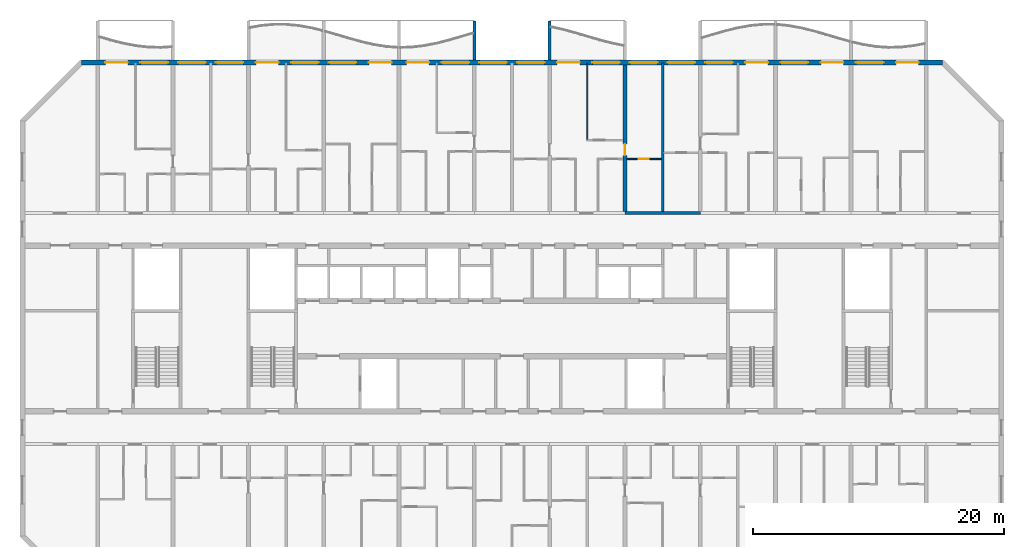
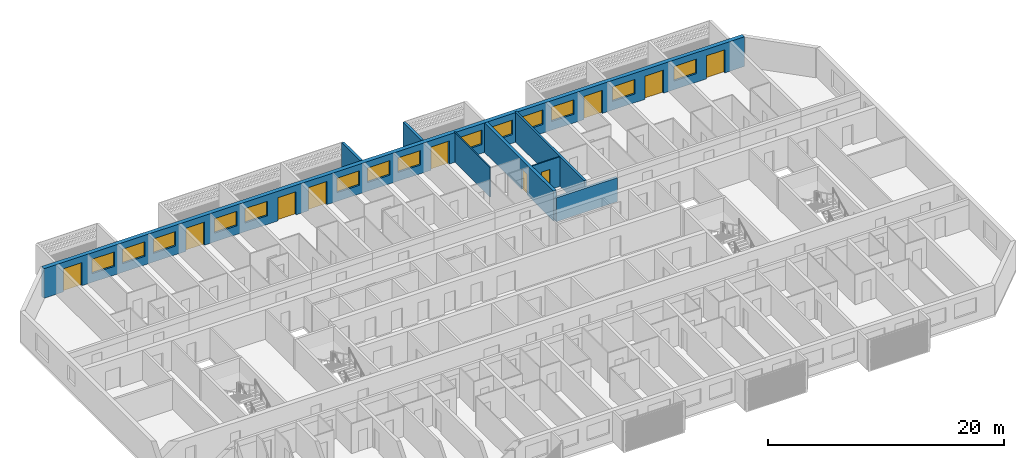
# One storey, part 11 of 33: 14 windows, 10 doors, 8 walls, 24 openings.
"""IFC4 building model written with IfcOpenShell, lengths in metres."""

from ifc_helpers import new_model, si_unit, direction, frame, frame_2d, origin, place, context, subcontext, project, spatial, polyline, rectangle, outline, extrude, source, transform, mapped, material, layer, layer_set, type_object, element, fill, save


model = new_model("IFC4")

# Units and contexts
model_context = context("Model", 3, precision=1e-05, world=origin(), true_north=direction((0.0, 1.0)))
body_context = subcontext(model_context, "Body", "Model", "MODEL_VIEW")
ifc_project = project(units=[si_unit("LENGTHUNIT", "METRE"), si_unit("AREAUNIT", "SQUARE_METRE"), si_unit("VOLUMEUNIT", "CUBIC_METRE"), si_unit("PLANEANGLEUNIT", "RADIAN"), si_unit("MASSUNIT", "GRAM", prefix="KILO")], contexts=[model_context])

# Site, building, storey
site_placement = place(None, origin())
site = spatial("IfcSite", under=ifc_project, at=site_placement, CompositionType="ELEMENT")
building_placement = place(site_placement, origin())
building = spatial("IfcBuilding", under=site, at=building_placement, Name="Poui Terraces", CompositionType="ELEMENT")
storey_placement = place(building_placement, frame((0.0, 0.0, 132.300048828125)))
storey = spatial("IfcBuildingStorey", under=building, at=storey_placement, Name="L36", CompositionType="ELEMENT", Elevation=132.300048828125)

# Wall
ifc_material_1 = material(Name="Concrete 65 MPa", Category="concrete")
ifc_layer_1 = layer(ifc_material_1, 0.25)
ifc_layer_set_1 = layer_set([ifc_layer_1], Name="Concrete 65 MPa")
wall_type_1 = type_object("IfcWallType", Name="CORRIDOR WALL 250 65MPa", PredefinedType="SHEAR", material=ifc_layer_set_1)
wall_1_placement = place(storey_placement, frame((60.0, 30.39990234375, 0.0), z_axis=(0.0, 0.0, 1.0), x_axis=(1.0, 0.0, 0.0)))
element("IfcWall", 1, at=wall_1_placement, inside=storey, type_object=wall_type_1, Name="CORRIDOR WALL LINE E BAY 9", PredefinedType="SHEAR", context=body_context, shape_type="SweptSolid", body=[
    extrude(rectangle(XDim=6.0, YDim=0.25, at=frame_2d((3.0, 0.0))), origin(), (0.0, 0.0, 1.0), 2.469970703125),
])

# Wall, opening, door
ifc_layer_2 = layer(ifc_material_1, 0.300048828125)
ifc_layer_set_2 = layer_set([ifc_layer_2], Name="Concrete 65 MPa")
wall_type_2 = type_object("IfcWallType", Name="CROSS WALL 300 65MPa", PredefinedType="SHEAR", material=ifc_layer_set_2)
wall_2_placement = place(storey_placement, frame((60.0, 30.52490234375, 0.0), z_axis=(0.0, 0.0, 1.0), x_axis=(0.0, 1.0, 0.0)))
wall_2 = element("IfcWall", 2, at=wall_2_placement, inside=storey, type_object=wall_type_2, Name="CROSS WALL LINE 11 NORTH", PredefinedType="SHEAR", context=body_context, shape_type="SweptSolid", body=[
    extrude(rectangle(XDim=11.675048828125, YDim=0.300048828125, at=frame_2d((5.83740234375, 0.0))), origin(), (0.0, 0.0, 1.0), 3.070068359375),
])
opening_1_placement = place(wall_2_placement, frame((4.47509765625, 0.0, 0.0)))
opening_1 = element("IfcOpeningElement", 3, at=opening_1_placement, cuts=wall_2, Name="Opening D90", PredefinedType="OPENING", context=body_context, shape_type="SweptSolid", body=[
    extrude(rectangle(XDim=0.89990234375, YDim=2.10009765625, at=frame_2d((0.449951171875, 1.050048828125))), frame((0.0, 0.16015625, 0.0), z_axis=(0.0, -1.0, 0.0), x_axis=(1.0, 0.0, 0.0)), (0.0, 0.0, 1.0), 0.320068359375),
])
ifc_material_2 = material(Name="Solid core timber door", Category="wood")
door_type_1 = type_object("IfcDoorType", Name="INTERNAL DOOR 900 X 2100", OperationType="NOTDEFINED", PredefinedType="DOOR", material=ifc_material_2)
door_1_placement = place(opening_1_placement, frame((0.89990234375, 0.0, 0.0), z_axis=(0.0, 0.0, 1.0), x_axis=(-1.0, 0.0, 0.0)))
door_1 = element("IfcDoor", 4, at=door_1_placement, inside=storey, type_object=door_type_1, Name="INTERNAL DOOR 060", OperationType="SINGLE_SWING_RIGHT", OverallHeight=2.10009765625, OverallWidth=0.89990234375, PredefinedType="DOOR", context=body_context, shape_type="SweptSolid", body=[
    extrude(rectangle(XDim=0.89990234375, YDim=2.10009765625, at=frame_2d((0.449951171875, 1.050048828125))), frame((0.0, 0.02490234375, 0.0), z_axis=(0.0, -1.0, 0.0), x_axis=(1.0, 0.0, 0.0)), (0.0, 0.0, 1.0), 0.050048828125),
])
fill(opening_1, door_1)

# Wall, openings, doors, windows
ifc_material_3 = material(Name="Precast concrete 40 MPa", Category="concrete")
ifc_layer_3 = layer(ifc_material_3, 0.39990234375)
ifc_layer_set_3 = layer_set([ifc_layer_3], Name="Precast concrete 40 MPa")
wall_type_3 = type_object("IfcWallType", Name="EXTERNAL WALL 400", PredefinedType="STANDARD", material=ifc_layer_set_3)
wall_3_placement = place(storey_placement, frame((85.317138671875, 42.39990234375, 0.0), z_axis=(0.0, 0.0, 1.0), x_axis=(-1.0, 0.0, 0.0)))
wall_3 = element("IfcWall", 5, at=wall_3_placement, inside=storey, type_object=wall_type_3, Name="EXTERNAL WALL N", PredefinedType="STANDARD", context=body_context, shape_type="SweptSolid", body=[
    extrude(rectangle(XDim=68.63427734375, YDim=0.39990234375, at=frame_2d((34.317138671875, 0.0))), origin(), (0.0, 0.0, 1.0), 3.070068359375),
])
opening_2_placement = place(wall_3_placement, frame((64.917236328125, 0.0, 0.0)))
opening_2 = element("IfcOpeningElement", 6, at=opening_2_placement, cuts=wall_3, Name="Opening BD1", PredefinedType="OPENING", context=body_context, shape_type="SweptSolid", body=[
    extrude(rectangle(XDim=1.800048828125, YDim=2.39990234375, at=frame_2d((0.89990234375, 1.199951171875))), frame((0.0, 0.2099609375, 0.0), z_axis=(0.0, -1.0, 0.0), x_axis=(1.0, 0.0, 0.0)), (0.0, 0.0, 1.0), 0.419921875),
])
opening_3_placement = place(wall_3_placement, frame((61.71728515625, 0.0, 0.89990234375)))
opening_3 = element("IfcOpeningElement", 7, at=opening_3_placement, cuts=wall_3, Name="Opening W1", PredefinedType="OPENING", context=body_context, shape_type="SweptSolid", body=[
    extrude(rectangle(XDim=2.199951171875, YDim=1.5, at=frame_2d((1.10009765625, 0.75))), frame((0.0, 0.2099609375, 0.0), z_axis=(0.0, -1.0, 0.0), x_axis=(1.0, 0.0, 0.0)), (0.0, 0.0, 1.0), 0.419921875),
])
opening_4_placement = place(wall_3_placement, frame((58.71728515625, 0.0, 0.89990234375)))
opening_4 = element("IfcOpeningElement", 8, at=opening_4_placement, cuts=wall_3, Name="Opening W1", PredefinedType="OPENING", context=body_context, shape_type="SweptSolid", body=[
    extrude(rectangle(XDim=2.199951171875, YDim=1.5, at=frame_2d((1.10009765625, 0.75))), frame((0.0, 0.2099609375, 0.0), z_axis=(0.0, -1.0, 0.0), x_axis=(1.0, 0.0, 0.0)), (0.0, 0.0, 1.0), 0.419921875),
])
opening_5_placement = place(wall_3_placement, frame((55.71728515625, 0.0, 0.89990234375)))
opening_5 = element("IfcOpeningElement", 9, at=opening_5_placement, cuts=wall_3, Name="Opening W1", PredefinedType="OPENING", context=body_context, shape_type="SweptSolid", body=[
    extrude(rectangle(XDim=2.199951171875, YDim=1.5, at=frame_2d((1.10009765625, 0.75))), frame((0.0, 0.2099609375, 0.0), z_axis=(0.0, -1.0, 0.0), x_axis=(1.0, 0.0, 0.0)), (0.0, 0.0, 1.0), 0.419921875),
])
opening_6_placement = place(wall_3_placement, frame((52.917236328125, 0.0, 0.0)))
opening_6 = element("IfcOpeningElement", 10, at=opening_6_placement, cuts=wall_3, Name="Opening BD1", PredefinedType="OPENING", context=body_context, shape_type="SweptSolid", body=[
    extrude(rectangle(XDim=1.800048828125, YDim=2.39990234375, at=frame_2d((0.89990234375, 1.199951171875))), frame((0.0, 0.2099609375, 0.0), z_axis=(0.0, -1.0, 0.0), x_axis=(1.0, 0.0, 0.0)), (0.0, 0.0, 1.0), 0.419921875),
])
opening_7_placement = place(wall_3_placement, frame((49.71728515625, 0.0, 0.89990234375)))
opening_7 = element("IfcOpeningElement", 11, at=opening_7_placement, cuts=wall_3, Name="Opening W1", PredefinedType="OPENING", context=body_context, shape_type="SweptSolid", body=[
    extrude(rectangle(XDim=2.199951171875, YDim=1.5, at=frame_2d((1.10009765625, 0.75))), frame((0.0, 0.2099609375, 0.0), z_axis=(0.0, -1.0, 0.0), x_axis=(1.0, 0.0, 0.0)), (0.0, 0.0, 1.0), 0.419921875),
])
opening_8_placement = place(wall_3_placement, frame((46.71728515625, 0.0, 0.89990234375)))
opening_8 = element("IfcOpeningElement", 12, at=opening_8_placement, cuts=wall_3, Name="Opening W1", PredefinedType="OPENING", context=body_context, shape_type="SweptSolid", body=[
    extrude(rectangle(XDim=2.199951171875, YDim=1.5, at=frame_2d((1.10009765625, 0.75))), frame((0.0, 0.2099609375, 0.0), z_axis=(0.0, -1.0, 0.0), x_axis=(1.0, 0.0, 0.0)), (0.0, 0.0, 1.0), 0.419921875),
])
opening_9_placement = place(wall_3_placement, frame((43.917236328125, 0.0, 0.0)))
opening_9 = element("IfcOpeningElement", 13, at=opening_9_placement, cuts=wall_3, Name="Opening BD1", PredefinedType="OPENING", context=body_context, shape_type="SweptSolid", body=[
    extrude(rectangle(XDim=1.800048828125, YDim=2.39990234375, at=frame_2d((0.89990234375, 1.199951171875))), frame((0.0, 0.2099609375, 0.0), z_axis=(0.0, -1.0, 0.0), x_axis=(1.0, 0.0, 0.0)), (0.0, 0.0, 1.0), 0.419921875),
])
opening_10_placement = place(wall_3_placement, frame((40.917236328125, 0.0, 0.0)))
opening_10 = element("IfcOpeningElement", 14, at=opening_10_placement, cuts=wall_3, Name="Opening BD1", PredefinedType="OPENING", context=body_context, shape_type="SweptSolid", body=[
    extrude(rectangle(XDim=1.800048828125, YDim=2.39990234375, at=frame_2d((0.89990234375, 1.199951171875))), frame((0.0, 0.2099609375, 0.0), z_axis=(0.0, -1.0, 0.0), x_axis=(1.0, 0.0, 0.0)), (0.0, 0.0, 1.0), 0.419921875),
])
opening_11_placement = place(wall_3_placement, frame((37.71728515625, 0.0, 0.89990234375)))
opening_11 = element("IfcOpeningElement", 15, at=opening_11_placement, cuts=wall_3, Name="Opening W1", PredefinedType="OPENING", context=body_context, shape_type="SweptSolid", body=[
    extrude(rectangle(XDim=2.199951171875, YDim=1.5, at=frame_2d((1.10009765625, 0.75))), frame((0.0, 0.2099609375, 0.0), z_axis=(0.0, -1.0, 0.0), x_axis=(1.0, 0.0, 0.0)), (0.0, 0.0, 1.0), 0.419921875),
])
opening_12_placement = place(wall_3_placement, frame((34.71728515625, 0.0, 0.89990234375)))
opening_12 = element("IfcOpeningElement", 16, at=opening_12_placement, cuts=wall_3, Name="Opening W1", PredefinedType="OPENING", context=body_context, shape_type="SweptSolid", body=[
    extrude(rectangle(XDim=2.199951171875, YDim=1.5, at=frame_2d((1.10009765625, 0.75))), frame((0.0, 0.2099609375, 0.0), z_axis=(0.0, -1.0, 0.0), x_axis=(1.0, 0.0, 0.0)), (0.0, 0.0, 1.0), 0.419921875),
])
opening_13_placement = place(wall_3_placement, frame((31.71728515625, 0.0, 0.89990234375)))
opening_13 = element("IfcOpeningElement", 17, at=opening_13_placement, cuts=wall_3, Name="Opening W1", PredefinedType="OPENING", context=body_context, shape_type="SweptSolid", body=[
    extrude(rectangle(XDim=2.199951171875, YDim=1.5, at=frame_2d((1.10009765625, 0.75))), frame((0.0, 0.2099609375, 0.0), z_axis=(0.0, -1.0, 0.0), x_axis=(1.0, 0.0, 0.0)), (0.0, 0.0, 1.0), 0.419921875),
])
opening_14_placement = place(wall_3_placement, frame((28.917236328125, 0.0, 0.0)))
opening_14 = element("IfcOpeningElement", 18, at=opening_14_placement, cuts=wall_3, Name="Opening BD1", PredefinedType="OPENING", context=body_context, shape_type="SweptSolid", body=[
    extrude(rectangle(XDim=1.800048828125, YDim=2.39990234375, at=frame_2d((0.89990234375, 1.199951171875))), frame((0.0, 0.2099609375, 0.0), z_axis=(0.0, -1.0, 0.0), x_axis=(1.0, 0.0, 0.0)), (0.0, 0.0, 1.0), 0.419921875),
])
opening_15_placement = place(wall_3_placement, frame((25.71728515625, 0.0, 0.89990234375)))
opening_15 = element("IfcOpeningElement", 19, at=opening_15_placement, cuts=wall_3, Name="Opening W1", PredefinedType="OPENING", context=body_context, shape_type="SweptSolid", body=[
    extrude(rectangle(XDim=2.199951171875, YDim=1.5, at=frame_2d((1.10009765625, 0.75))), frame((0.0, 0.2099609375, 0.0), z_axis=(0.0, -1.0, 0.0), x_axis=(1.0, 0.0, 0.0)), (0.0, 0.0, 1.0), 0.419921875),
])
opening_16_placement = place(wall_3_placement, frame((22.71728515625, 0.0, 0.89990234375)))
opening_16 = element("IfcOpeningElement", 20, at=opening_16_placement, cuts=wall_3, Name="Opening W1", PredefinedType="OPENING", context=body_context, shape_type="SweptSolid", body=[
    extrude(rectangle(XDim=2.199951171875, YDim=1.5, at=frame_2d((1.10009765625, 0.75))), frame((0.0, 0.2099609375, 0.0), z_axis=(0.0, -1.0, 0.0), x_axis=(1.0, 0.0, 0.0)), (0.0, 0.0, 1.0), 0.419921875),
])
opening_17_placement = place(wall_3_placement, frame((19.71728515625, 0.0, 0.89990234375)))
opening_17 = element("IfcOpeningElement", 21, at=opening_17_placement, cuts=wall_3, Name="Opening W1", PredefinedType="OPENING", context=body_context, shape_type="SweptSolid", body=[
    extrude(rectangle(XDim=2.199951171875, YDim=1.5, at=frame_2d((1.10009765625, 0.75))), frame((0.0, 0.2099609375, 0.0), z_axis=(0.0, -1.0, 0.0), x_axis=(1.0, 0.0, 0.0)), (0.0, 0.0, 1.0), 0.419921875),
])
opening_18_placement = place(wall_3_placement, frame((16.71728515625, 0.0, 0.89990234375)))
opening_18 = element("IfcOpeningElement", 22, at=opening_18_placement, cuts=wall_3, Name="Opening W1", PredefinedType="OPENING", context=body_context, shape_type="SweptSolid", body=[
    extrude(rectangle(XDim=2.199951171875, YDim=1.5, at=frame_2d((1.10009765625, 0.75))), frame((0.0, 0.2099609375, 0.0), z_axis=(0.0, -1.0, 0.0), x_axis=(1.0, 0.0, 0.0)), (0.0, 0.0, 1.0), 0.419921875),
])
opening_19_placement = place(wall_3_placement, frame((13.917236328125, 0.0, 0.0)))
opening_19 = element("IfcOpeningElement", 23, at=opening_19_placement, cuts=wall_3, Name="Opening BD1", PredefinedType="OPENING", context=body_context, shape_type="SweptSolid", body=[
    extrude(rectangle(XDim=1.800048828125, YDim=2.39990234375, at=frame_2d((0.89990234375, 1.199951171875))), frame((0.0, 0.2099609375, 0.0), z_axis=(0.0, -1.0, 0.0), x_axis=(1.0, 0.0, 0.0)), (0.0, 0.0, 1.0), 0.419921875),
])
opening_20_placement = place(wall_3_placement, frame((10.71728515625, 0.0, 0.89990234375)))
opening_20 = element("IfcOpeningElement", 24, at=opening_20_placement, cuts=wall_3, Name="Opening W1", PredefinedType="OPENING", context=body_context, shape_type="SweptSolid", body=[
    extrude(rectangle(XDim=2.199951171875, YDim=1.5, at=frame_2d((1.10009765625, 0.75))), frame((0.0, 0.2099609375, 0.0), z_axis=(0.0, -1.0, 0.0), x_axis=(1.0, 0.0, 0.0)), (0.0, 0.0, 1.0), 0.419921875),
])
opening_21_placement = place(wall_3_placement, frame((7.917236328125, 0.0, 0.0)))
opening_21 = element("IfcOpeningElement", 25, at=opening_21_placement, cuts=wall_3, Name="Opening BD1", PredefinedType="OPENING", context=body_context, shape_type="SweptSolid", body=[
    extrude(rectangle(XDim=1.800048828125, YDim=2.39990234375, at=frame_2d((0.89990234375, 1.199951171875))), frame((0.0, 0.2099609375, 0.0), z_axis=(0.0, -1.0, 0.0), x_axis=(1.0, 0.0, 0.0)), (0.0, 0.0, 1.0), 0.419921875),
])
opening_22_placement = place(wall_3_placement, frame((4.71728515625, 0.0, 0.89990234375)))
opening_22 = element("IfcOpeningElement", 26, at=opening_22_placement, cuts=wall_3, Name="Opening W1", PredefinedType="OPENING", context=body_context, shape_type="SweptSolid", body=[
    extrude(rectangle(XDim=2.199951171875, YDim=1.5, at=frame_2d((1.10009765625, 0.75))), frame((0.0, 0.2099609375, 0.0), z_axis=(0.0, -1.0, 0.0), x_axis=(1.0, 0.0, 0.0)), (0.0, 0.0, 1.0), 0.419921875),
])
opening_23_placement = place(wall_3_placement, frame((1.917236328125, 0.0, 0.0)))
opening_23 = element("IfcOpeningElement", 27, at=opening_23_placement, cuts=wall_3, Name="Opening BD1", PredefinedType="OPENING", context=body_context, shape_type="SweptSolid", body=[
    extrude(rectangle(XDim=1.800048828125, YDim=2.39990234375, at=frame_2d((0.89990234375, 1.199951171875))), frame((0.0, 0.2099609375, 0.0), z_axis=(0.0, -1.0, 0.0), x_axis=(1.0, 0.0, 0.0)), (0.0, 0.0, 1.0), 0.419921875),
])
ifc_material_4 = material(Name="Clear glass in aluminium frame", Category="aluminium")
door_type_2 = type_object("IfcDoorType", Name="BALCONY DOOR 1800X2400", OperationType="DOUBLE_DOOR_SLIDING", PredefinedType="DOOR", material=ifc_material_4)
door_2_placement = place(opening_2_placement, origin())
door_2 = element("IfcDoor", 28, at=door_2_placement, inside=storey, type_object=door_type_2, Name="BD1 BALCONY DOOR", OperationType="DOUBLE_DOOR_SLIDING", OverallHeight=2.39990234375, OverallWidth=1.800048828125, PredefinedType="DOOR", context=body_context, shape_type="SweptSolid", body=[
    extrude(rectangle(XDim=1.800048828125, YDim=2.39990234375, at=frame_2d((0.89990234375, 1.199951171875))), frame((0.0, 0.02490234375, 0.0), z_axis=(0.0, -1.0, 0.0), x_axis=(1.0, 0.0, 0.0)), (0.0, 0.0, 1.0), 0.050048828125),
])
fill(opening_2, door_2)
door_3_placement = place(opening_6_placement, origin())
door_3 = element("IfcDoor", 29, at=door_3_placement, inside=storey, type_object=door_type_2, Name="BD1 BALCONY DOOR", OperationType="DOUBLE_DOOR_SLIDING", OverallHeight=2.39990234375, OverallWidth=1.800048828125, PredefinedType="DOOR", context=body_context, shape_type="SweptSolid", body=[
    extrude(rectangle(XDim=1.800048828125, YDim=2.39990234375, at=frame_2d((0.89990234375, 1.199951171875))), frame((0.0, 0.02490234375, 0.0), z_axis=(0.0, -1.0, 0.0), x_axis=(1.0, 0.0, 0.0)), (0.0, 0.0, 1.0), 0.050048828125),
])
fill(opening_6, door_3)
door_4_placement = place(opening_9_placement, origin())
door_4 = element("IfcDoor", 30, at=door_4_placement, inside=storey, type_object=door_type_2, Name="BD1 BALCONY DOOR", OperationType="DOUBLE_DOOR_SLIDING", OverallHeight=2.39990234375, OverallWidth=1.800048828125, PredefinedType="DOOR", context=body_context, shape_type="SweptSolid", body=[
    extrude(rectangle(XDim=1.800048828125, YDim=2.39990234375, at=frame_2d((0.89990234375, 1.199951171875))), frame((0.0, 0.02490234375, 0.0), z_axis=(0.0, -1.0, 0.0), x_axis=(1.0, 0.0, 0.0)), (0.0, 0.0, 1.0), 0.050048828125),
])
fill(opening_9, door_4)
door_5_placement = place(opening_10_placement, origin())
door_5 = element("IfcDoor", 31, at=door_5_placement, inside=storey, type_object=door_type_2, Name="BD1 BALCONY DOOR", OperationType="DOUBLE_DOOR_SLIDING", OverallHeight=2.39990234375, OverallWidth=1.800048828125, PredefinedType="DOOR", context=body_context, shape_type="SweptSolid", body=[
    extrude(rectangle(XDim=1.800048828125, YDim=2.39990234375, at=frame_2d((0.89990234375, 1.199951171875))), frame((0.0, 0.02490234375, 0.0), z_axis=(0.0, -1.0, 0.0), x_axis=(1.0, 0.0, 0.0)), (0.0, 0.0, 1.0), 0.050048828125),
])
fill(opening_10, door_5)
door_6_placement = place(opening_14_placement, origin())
door_6 = element("IfcDoor", 32, at=door_6_placement, inside=storey, type_object=door_type_2, Name="BD1 BALCONY DOOR", OperationType="DOUBLE_DOOR_SLIDING", OverallHeight=2.39990234375, OverallWidth=1.800048828125, PredefinedType="DOOR", context=body_context, shape_type="SweptSolid", body=[
    extrude(rectangle(XDim=1.800048828125, YDim=2.39990234375, at=frame_2d((0.89990234375, 1.199951171875))), frame((0.0, 0.02490234375, 0.0), z_axis=(0.0, -1.0, 0.0), x_axis=(1.0, 0.0, 0.0)), (0.0, 0.0, 1.0), 0.050048828125),
])
fill(opening_14, door_6)
door_7_placement = place(opening_19_placement, origin())
door_7 = element("IfcDoor", 33, at=door_7_placement, inside=storey, type_object=door_type_2, Name="BD1 BALCONY DOOR", OperationType="DOUBLE_DOOR_SLIDING", OverallHeight=2.39990234375, OverallWidth=1.800048828125, PredefinedType="DOOR", context=body_context, shape_type="SweptSolid", body=[
    extrude(rectangle(XDim=1.800048828125, YDim=2.39990234375, at=frame_2d((0.89990234375, 1.199951171875))), frame((0.0, 0.02490234375, 0.0), z_axis=(0.0, -1.0, 0.0), x_axis=(1.0, 0.0, 0.0)), (0.0, 0.0, 1.0), 0.050048828125),
])
fill(opening_19, door_7)
door_8_placement = place(opening_21_placement, origin())
door_8 = element("IfcDoor", 34, at=door_8_placement, inside=storey, type_object=door_type_2, Name="BD1 BALCONY DOOR", OperationType="DOUBLE_DOOR_SLIDING", OverallHeight=2.39990234375, OverallWidth=1.800048828125, PredefinedType="DOOR", context=body_context, shape_type="SweptSolid", body=[
    extrude(rectangle(XDim=1.800048828125, YDim=2.39990234375, at=frame_2d((0.89990234375, 1.199951171875))), frame((0.0, 0.02490234375, 0.0), z_axis=(0.0, -1.0, 0.0), x_axis=(1.0, 0.0, 0.0)), (0.0, 0.0, 1.0), 0.050048828125),
])
fill(opening_21, door_8)
door_9_placement = place(opening_23_placement, origin())
door_9 = element("IfcDoor", 35, at=door_9_placement, inside=storey, type_object=door_type_2, Name="BD1 BALCONY DOOR", OperationType="DOUBLE_DOOR_SLIDING", OverallHeight=2.39990234375, OverallWidth=1.800048828125, PredefinedType="DOOR", context=body_context, shape_type="SweptSolid", body=[
    extrude(rectangle(XDim=1.800048828125, YDim=2.39990234375, at=frame_2d((0.89990234375, 1.199951171875))), frame((0.0, 0.02490234375, 0.0), z_axis=(0.0, -1.0, 0.0), x_axis=(1.0, 0.0, 0.0)), (0.0, 0.0, 1.0), 0.050048828125),
])
fill(opening_23, door_9)
window_type = type_object("IfcWindowType", Name="WINDOW 2200X1500", PartitioningType="DOUBLE_PANEL_HORIZONTAL", PredefinedType="WINDOW", material=ifc_material_4)
window_1_placement = place(opening_3_placement, origin())
window_1 = element("IfcWindow", 36, at=window_1_placement, inside=storey, type_object=window_type, Name="W1 WINDOW", OverallHeight=1.5, OverallWidth=2.199951171875, PartitioningType="DOUBLE_PANEL_HORIZONTAL", PredefinedType="WINDOW", context=body_context, shape_type="SweptSolid", body=[
    extrude(rectangle(XDim=2.199951171875, YDim=1.5, at=frame_2d((1.10009765625, 0.75))), frame((0.0, 0.030029296875, 0.0), z_axis=(0.0, -1.0, 0.0), x_axis=(1.0, 0.0, 0.0)), (0.0, 0.0, 1.0), 0.06005859375),
])
fill(opening_3, window_1)
window_2_placement = place(opening_4_placement, origin())
window_2 = element("IfcWindow", 37, at=window_2_placement, inside=storey, type_object=window_type, Name="W1 WINDOW", OverallHeight=1.5, OverallWidth=2.199951171875, PartitioningType="DOUBLE_PANEL_HORIZONTAL", PredefinedType="WINDOW", context=body_context, shape_type="SweptSolid", body=[
    extrude(rectangle(XDim=2.199951171875, YDim=1.5, at=frame_2d((1.10009765625, 0.75))), frame((0.0, 0.030029296875, 0.0), z_axis=(0.0, -1.0, 0.0), x_axis=(1.0, 0.0, 0.0)), (0.0, 0.0, 1.0), 0.06005859375),
])
fill(opening_4, window_2)
window_3_placement = place(opening_5_placement, origin())
window_3 = element("IfcWindow", 38, at=window_3_placement, inside=storey, type_object=window_type, Name="W1 WINDOW", OverallHeight=1.5, OverallWidth=2.199951171875, PartitioningType="DOUBLE_PANEL_HORIZONTAL", PredefinedType="WINDOW", context=body_context, shape_type="SweptSolid", body=[
    extrude(rectangle(XDim=2.199951171875, YDim=1.5, at=frame_2d((1.10009765625, 0.75))), frame((0.0, 0.030029296875, 0.0), z_axis=(0.0, -1.0, 0.0), x_axis=(1.0, 0.0, 0.0)), (0.0, 0.0, 1.0), 0.06005859375),
])
fill(opening_5, window_3)
window_4_placement = place(opening_7_placement, origin())
window_4 = element("IfcWindow", 39, at=window_4_placement, inside=storey, type_object=window_type, Name="W1 WINDOW", OverallHeight=1.5, OverallWidth=2.199951171875, PartitioningType="DOUBLE_PANEL_HORIZONTAL", PredefinedType="WINDOW", context=body_context, shape_type="SweptSolid", body=[
    extrude(rectangle(XDim=2.199951171875, YDim=1.5, at=frame_2d((1.10009765625, 0.75))), frame((0.0, 0.030029296875, 0.0), z_axis=(0.0, -1.0, 0.0), x_axis=(1.0, 0.0, 0.0)), (0.0, 0.0, 1.0), 0.06005859375),
])
fill(opening_7, window_4)
window_5_placement = place(opening_8_placement, origin())
window_5 = element("IfcWindow", 40, at=window_5_placement, inside=storey, type_object=window_type, Name="W1 WINDOW", OverallHeight=1.5, OverallWidth=2.199951171875, PartitioningType="DOUBLE_PANEL_HORIZONTAL", PredefinedType="WINDOW", context=body_context, shape_type="SweptSolid", body=[
    extrude(rectangle(XDim=2.199951171875, YDim=1.5, at=frame_2d((1.10009765625, 0.75))), frame((0.0, 0.030029296875, 0.0), z_axis=(0.0, -1.0, 0.0), x_axis=(1.0, 0.0, 0.0)), (0.0, 0.0, 1.0), 0.06005859375),
])
fill(opening_8, window_5)
window_6_placement = place(opening_11_placement, origin())
window_6 = element("IfcWindow", 41, at=window_6_placement, inside=storey, type_object=window_type, Name="W1 WINDOW", OverallHeight=1.5, OverallWidth=2.199951171875, PartitioningType="DOUBLE_PANEL_HORIZONTAL", PredefinedType="WINDOW", context=body_context, shape_type="SweptSolid", body=[
    extrude(rectangle(XDim=2.199951171875, YDim=1.5, at=frame_2d((1.10009765625, 0.75))), frame((0.0, 0.030029296875, 0.0), z_axis=(0.0, -1.0, 0.0), x_axis=(1.0, 0.0, 0.0)), (0.0, 0.0, 1.0), 0.06005859375),
])
fill(opening_11, window_6)
window_7_placement = place(opening_12_placement, origin())
window_7 = element("IfcWindow", 42, at=window_7_placement, inside=storey, type_object=window_type, Name="W1 WINDOW", OverallHeight=1.5, OverallWidth=2.199951171875, PartitioningType="DOUBLE_PANEL_HORIZONTAL", PredefinedType="WINDOW", context=body_context, shape_type="SweptSolid", body=[
    extrude(rectangle(XDim=2.199951171875, YDim=1.5, at=frame_2d((1.10009765625, 0.75))), frame((0.0, 0.030029296875, 0.0), z_axis=(0.0, -1.0, 0.0), x_axis=(1.0, 0.0, 0.0)), (0.0, 0.0, 1.0), 0.06005859375),
])
fill(opening_12, window_7)
window_8_placement = place(opening_13_placement, origin())
window_8 = element("IfcWindow", 43, at=window_8_placement, inside=storey, type_object=window_type, Name="W1 WINDOW", OverallHeight=1.5, OverallWidth=2.199951171875, PartitioningType="DOUBLE_PANEL_HORIZONTAL", PredefinedType="WINDOW", context=body_context, shape_type="SweptSolid", body=[
    extrude(rectangle(XDim=2.199951171875, YDim=1.5, at=frame_2d((1.10009765625, 0.75))), frame((0.0, 0.030029296875, 0.0), z_axis=(0.0, -1.0, 0.0), x_axis=(1.0, 0.0, 0.0)), (0.0, 0.0, 1.0), 0.06005859375),
])
fill(opening_13, window_8)
window_9_placement = place(opening_15_placement, origin())
window_9 = element("IfcWindow", 44, at=window_9_placement, inside=storey, type_object=window_type, Name="W1 WINDOW", OverallHeight=1.5, OverallWidth=2.199951171875, PartitioningType="DOUBLE_PANEL_HORIZONTAL", PredefinedType="WINDOW", context=body_context, shape_type="SweptSolid", body=[
    extrude(rectangle(XDim=2.199951171875, YDim=1.5, at=frame_2d((1.10009765625, 0.75))), frame((0.0, 0.030029296875, 0.0), z_axis=(0.0, -1.0, 0.0), x_axis=(1.0, 0.0, 0.0)), (0.0, 0.0, 1.0), 0.06005859375),
])
fill(opening_15, window_9)
window_10_placement = place(opening_16_placement, origin())
window_10 = element("IfcWindow", 45, at=window_10_placement, inside=storey, type_object=window_type, Name="W1 WINDOW", OverallHeight=1.5, OverallWidth=2.199951171875, PartitioningType="DOUBLE_PANEL_HORIZONTAL", PredefinedType="WINDOW", context=body_context, shape_type="SweptSolid", body=[
    extrude(rectangle(XDim=2.199951171875, YDim=1.5, at=frame_2d((1.10009765625, 0.75))), frame((0.0, 0.030029296875, 0.0), z_axis=(0.0, -1.0, 0.0), x_axis=(1.0, 0.0, 0.0)), (0.0, 0.0, 1.0), 0.06005859375),
])
fill(opening_16, window_10)
window_11_placement = place(opening_17_placement, origin())
window_11 = element("IfcWindow", 46, at=window_11_placement, inside=storey, type_object=window_type, Name="W1 WINDOW", OverallHeight=1.5, OverallWidth=2.199951171875, PartitioningType="DOUBLE_PANEL_HORIZONTAL", PredefinedType="WINDOW", context=body_context, shape_type="SweptSolid", body=[
    extrude(rectangle(XDim=2.199951171875, YDim=1.5, at=frame_2d((1.10009765625, 0.75))), frame((0.0, 0.030029296875, 0.0), z_axis=(0.0, -1.0, 0.0), x_axis=(1.0, 0.0, 0.0)), (0.0, 0.0, 1.0), 0.06005859375),
])
fill(opening_17, window_11)
window_12_placement = place(opening_18_placement, origin())
window_12 = element("IfcWindow", 47, at=window_12_placement, inside=storey, type_object=window_type, Name="W1 WINDOW", OverallHeight=1.5, OverallWidth=2.199951171875, PartitioningType="DOUBLE_PANEL_HORIZONTAL", PredefinedType="WINDOW", context=body_context, shape_type="SweptSolid", body=[
    extrude(rectangle(XDim=2.199951171875, YDim=1.5, at=frame_2d((1.10009765625, 0.75))), frame((0.0, 0.030029296875, 0.0), z_axis=(0.0, -1.0, 0.0), x_axis=(1.0, 0.0, 0.0)), (0.0, 0.0, 1.0), 0.06005859375),
])
fill(opening_18, window_12)
window_13_placement = place(opening_20_placement, origin())
window_13 = element("IfcWindow", 48, at=window_13_placement, inside=storey, type_object=window_type, Name="W1 WINDOW", OverallHeight=1.5, OverallWidth=2.199951171875, PartitioningType="DOUBLE_PANEL_HORIZONTAL", PredefinedType="WINDOW", context=body_context, shape_type="SweptSolid", body=[
    extrude(rectangle(XDim=2.199951171875, YDim=1.5, at=frame_2d((1.10009765625, 0.75))), frame((0.0, 0.030029296875, 0.0), z_axis=(0.0, -1.0, 0.0), x_axis=(1.0, 0.0, 0.0)), (0.0, 0.0, 1.0), 0.06005859375),
])
fill(opening_20, window_13)
window_14_placement = place(opening_22_placement, origin())
window_14 = element("IfcWindow", 49, at=window_14_placement, inside=storey, type_object=window_type, Name="W1 WINDOW", OverallHeight=1.5, OverallWidth=2.199951171875, PartitioningType="DOUBLE_PANEL_HORIZONTAL", PredefinedType="WINDOW", context=body_context, shape_type="SweptSolid", body=[
    extrude(rectangle(XDim=2.199951171875, YDim=1.5, at=frame_2d((1.10009765625, 0.75))), frame((0.0, 0.030029296875, 0.0), z_axis=(0.0, -1.0, 0.0), x_axis=(1.0, 0.0, 0.0)), (0.0, 0.0, 1.0), 0.06005859375),
])
fill(opening_22, window_14)

# Wall, opening, door
ifc_material_5 = material(Name="Plasterboard partition")
ifc_layer_4 = layer(ifc_material_5, 0.10009765625)
ifc_layer_set_4 = layer_set([ifc_layer_4], Name="Plasterboard partition")
wall_type_4 = type_object("IfcWallType", Name="FLAT PARTITION 100", PredefinedType="PARTITIONING", material=ifc_layer_set_4)
wall_4_placement = place(storey_placement, frame((60.159912109375, 34.699951171875, 0.0), z_axis=(0.0, 0.0, 1.0), x_axis=(1.0, 0.0, 0.0)))
wall_4 = element("IfcWall", 50, at=wall_4_placement, inside=storey, type_object=wall_type_4, Name="FLAT PARTITION 100", PredefinedType="PARTITIONING", context=body_context, shape_type="SweptSolid", body=[
    extrude(rectangle(XDim=2.739990234375, YDim=0.10009765625, at=frame_2d((1.3701171875, 0.0))), origin(), (0.0, 0.0, 1.0), 3.070068359375),
])
opening_24_placement = place(wall_4_placement, frame((0.93994140625, 0.0, 0.0)))
opening_24 = element("IfcOpeningElement", 51, at=opening_24_placement, cuts=wall_4, Name="Opening D80", PredefinedType="OPENING", context=body_context, shape_type="SweptSolid", body=[
    extrude(rectangle(XDim=0.800048828125, YDim=2.10009765625, at=frame_2d((0.39990234375, 1.050048828125))), frame((0.0, 0.06005859375, 0.0), z_axis=(0.0, -1.0, 0.0), x_axis=(1.0, 0.0, 0.0)), (0.0, 0.0, 1.0), 0.1201171875),
])
door_type_3 = type_object("IfcDoorType", Name="BATHROOM, LAUNDRY AND STORE DOOR 800 X 2100", OperationType="NOTDEFINED", PredefinedType="DOOR", material=ifc_material_2)
door_10_placement = place(opening_24_placement, frame((0.800048828125, 0.0, 0.0), z_axis=(0.0, 0.0, 1.0), x_axis=(-1.0, 0.0, 0.0)))
door_10 = element("IfcDoor", 52, at=door_10_placement, inside=storey, type_object=door_type_3, Name="BATHROOM, LAUNDRY AND STORE DOOR 054", OperationType="SINGLE_SWING_LEFT", OverallHeight=2.10009765625, OverallWidth=0.800048828125, PredefinedType="DOOR", context=body_context, shape_type="SweptSolid", body=[
    extrude(rectangle(XDim=0.800048828125, YDim=2.10009765625, at=frame_2d((0.39990234375, 1.050048828125))), frame((0.0, 0.02490234375, 0.0), z_axis=(0.0, -1.0, 0.0), x_axis=(1.0, 0.0, 0.0)), (0.0, 0.0, 1.0), 0.050048828125),
])
fill(opening_24, door_10)

# Walls
wall_5_placement = place(storey_placement, frame((57.0, 36.25, 0.0), z_axis=(0.0, 0.0, 1.0), x_axis=(0.0, 1.0, 0.0)))
element("IfcWall", 53, at=wall_5_placement, inside=storey, type_object=wall_type_4, Name="FLAT PARTITION 100", PredefinedType="PARTITIONING", context=body_context, shape_type="SweptSolid", body=[
    extrude(rectangle(XDim=6.090087890625, YDim=0.10009765625, at=frame_2d((3.044921875, 0.0))), origin(), (0.0, 0.0, 1.0), 3.070068359375),
])
ifc_material_6 = material(Name="Fire-rated masonry wall", Category="masonry")
ifc_layer_5 = layer(ifc_material_6, 0.199951171875)
ifc_layer_set_5 = layer_set([ifc_layer_5], Name="Fire-rated masonry wall")
wall_type_5 = type_object("IfcWallType", Name="FLAT PARTY WALL 200", PredefinedType="PARTITIONING", material=ifc_layer_set_5)
wall_6_placement = place(storey_placement, frame((63.0, 30.534912109375, 0.0), z_axis=(0.0, 0.0, 1.0), x_axis=(0.0, 1.0, 0.0)))
element("IfcWall", 54, at=wall_6_placement, inside=storey, type_object=wall_type_5, Name="FLAT PARTY WALL 200", PredefinedType="PARTITIONING", context=body_context, shape_type="SweptSolid", body=[
    extrude(rectangle(XDim=11.80517578125, YDim=0.199951171875, at=frame_2d((5.902587890625, 0.0))), origin(), (0.0, 0.0, 1.0), 3.070068359375),
])
ifc_layer_6 = layer(ifc_material_3, 0.25)
ifc_layer_set_6 = layer_set([ifc_layer_6], Name="Precast concrete 40 MPa")
wall_type_6 = type_object("IfcWallType", Name="BALCONY FIN 250", PredefinedType="STANDARD", material=ifc_layer_set_6)
shared_shape = source(origin(), body_context, "Body", "SweptSolid", [
    extrude(outline(polyline([(0.0, 0.0), (0.25, 0.0), (0.25, 3.099853515625), (0.0, 3.099853515625), (0.0, 0.0)])), origin(), (0.0, 0.0, 1.0), 3.099853515625),
])
for number, where, name in (
    (55, (47.875, 42.60009765625, 0.0), "BALCONY FIN"),
    (56, (53.875, 42.60009765625, 0.0), "BALCONY FIN"),
):
    element("IfcWall", number, at=place(storey_placement, frame(where)), inside=storey, type_object=wall_type_6, Name=name, PredefinedType="STANDARD", context=body_context, shape_type="MappedRepresentation", body=[
        mapped(shared_shape, transform((0.0, 0.0, 0.0))),
    ])

save(model, "model.ifc")
